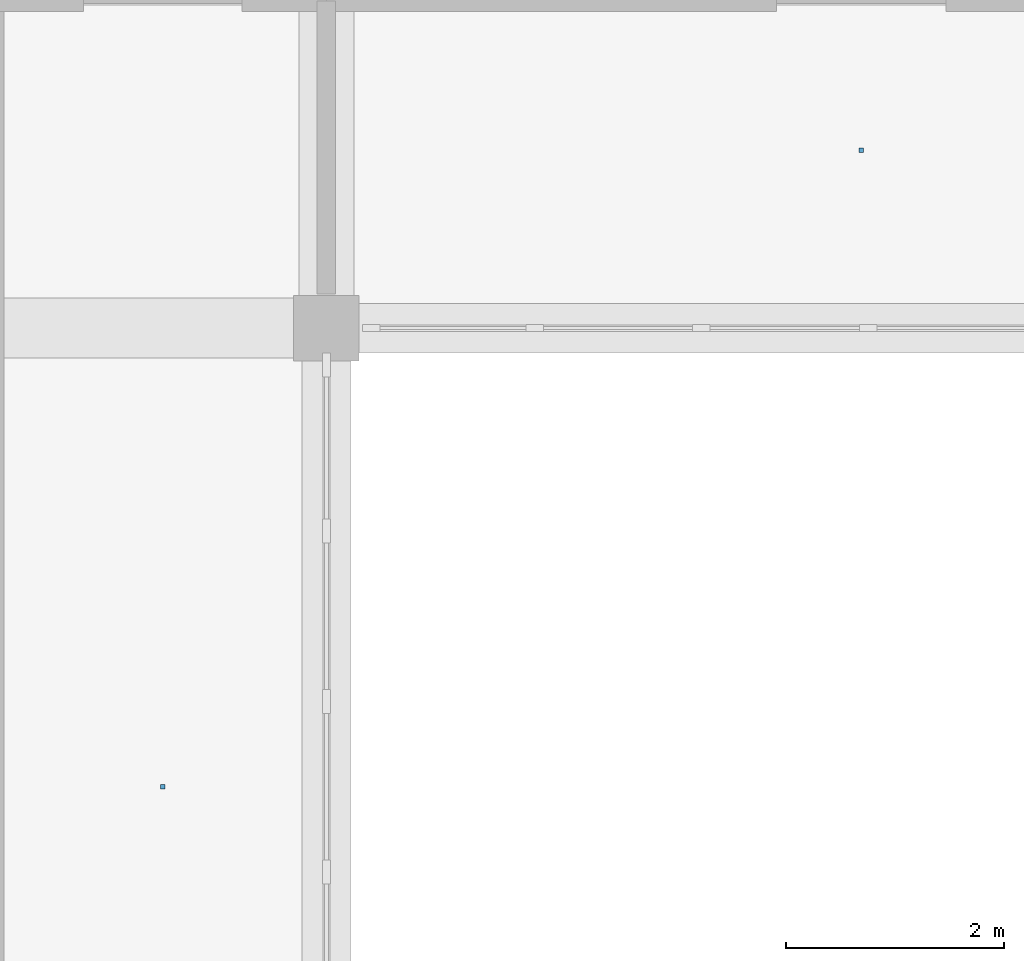
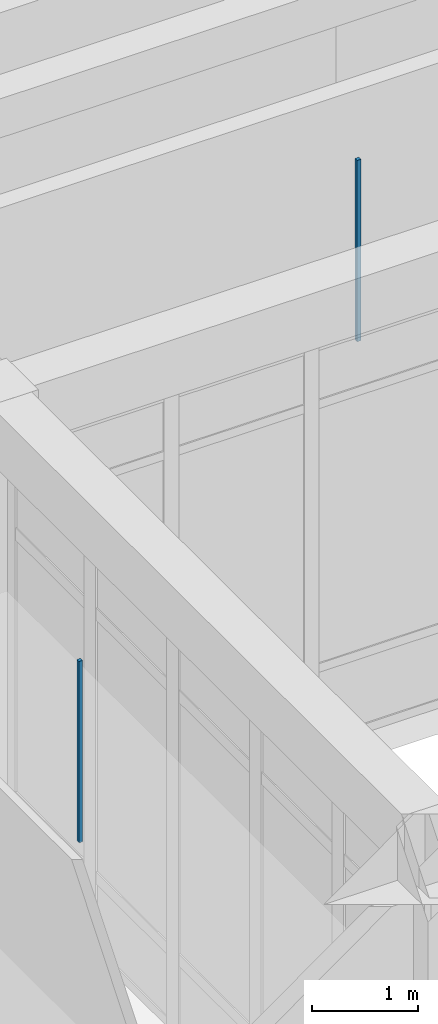
# One storey, part 124 of 157: 2 discrete accessories.
"""IFC4 building model written with IfcOpenShell, lengths in metres."""

from ifc_helpers import new_model, si_unit, direction, frame, origin, origin_2d, place, context, subcontext, project, spatial, rectangle, extrude, material, type_object, element, save


model = new_model("IFC4")

# Units and contexts
model_context = context("Model", 3, precision=1e-05, world=origin(), true_north=direction((0.0, 1.0)))
body_context = subcontext(model_context, "Body", "Model", "MODEL_VIEW")
ifc_project = project(units=[si_unit("LENGTHUNIT", "METRE"), si_unit("AREAUNIT", "SQUARE_METRE"), si_unit("VOLUMEUNIT", "CUBIC_METRE"), si_unit("PLANEANGLEUNIT", "RADIAN"), si_unit("MASSUNIT", "GRAM", prefix="KILO")], contexts=[model_context])

# Site, building, storey
site_placement = place(None, origin())
site = spatial("IfcSite", under=ifc_project, at=site_placement, CompositionType="ELEMENT")
building_placement = place(site_placement, origin())
building = spatial("IfcBuilding", under=site, at=building_placement, Name="Varncliffe General Hospital", CompositionType="ELEMENT")
storey_placement = place(building_placement, frame((0.0, 0.0, 5.39990234375)))
storey = spatial("IfcBuildingStorey", under=building, at=storey_placement, Name="L01", CompositionType="ELEMENT", Elevation=5.39990234375)

# Discrete accessories
ifc_material = material(Name="Powder-coated hospital steel guardrail and handrail", Category="steel")
discrete_accessory_type = type_object("IfcDiscreteAccessoryType", Name="Suspended Ceiling Hanger Bracket CH01", PredefinedType="BRACKET", material=ifc_material)
for number, where, z_axis, x_axis, name in (
    (1, (116.10009765625, 78.60009765625, 3.18994140625), (0.0, 0.0, 1.0), (1.0, 0.0, 0.0), "L01 Suspended Ceiling Hanger 171"),
    (2, (122.5, 84.429931640625, 3.18994140625), (0.0, 0.0, 1.0), (1.0, 0.0, 0.0), "L01 Suspended Ceiling Hanger 172"),
):
    element("IfcDiscreteAccessory", number, at=place(storey_placement, frame(where, z_axis=z_axis, x_axis=x_axis)), inside=storey, type_object=discrete_accessory_type, Name=name, PredefinedType="BRACKET", context=body_context, shape_type="SweptSolid", body=[
        extrude(rectangle(XDim=0.0400390625, YDim=0.0400390625, at=origin_2d()), origin(), (0.0, 0.0, 1.0), 2.090087890625),
    ])

save(model, "model.ifc")
